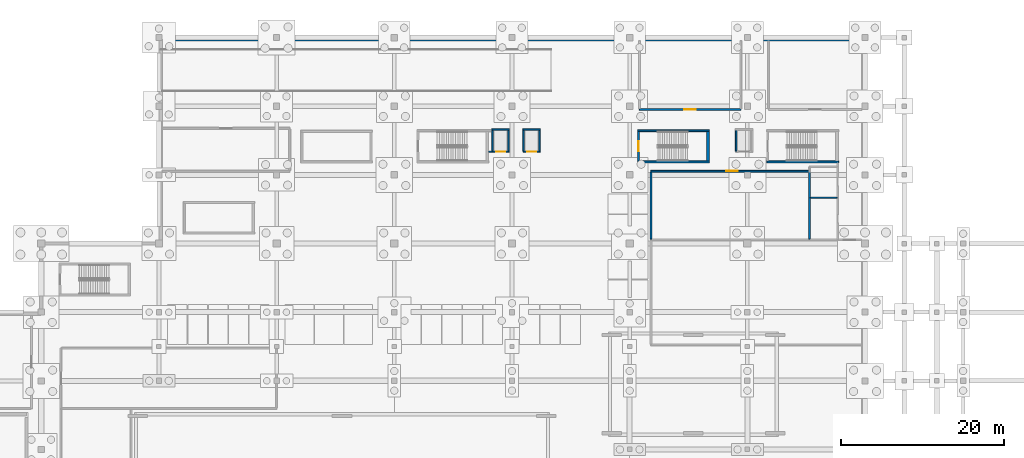
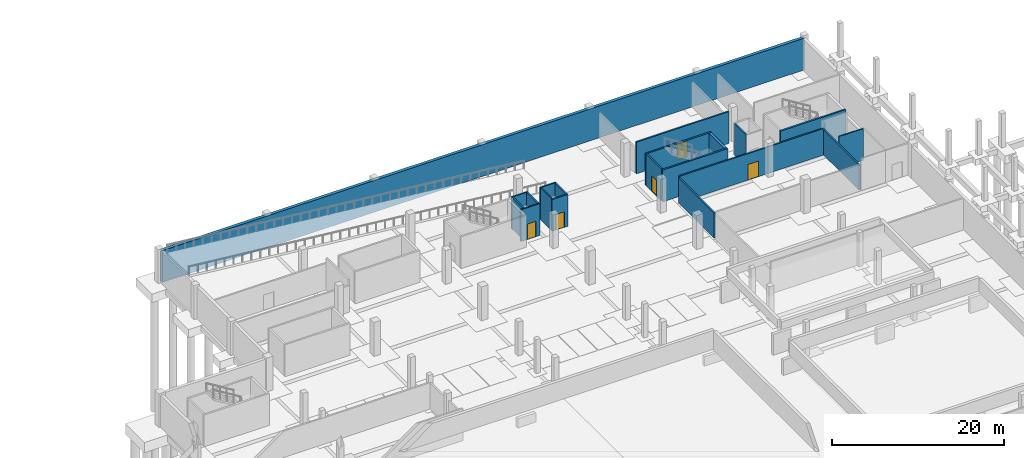
# One storey, part 17 of 26: 20 walls, 5 doors, 5 openings.
"""IFC4 building model written with IfcOpenShell, lengths in metres."""

from ifc_helpers import new_model, si_unit, direction, frame, frame_2d, origin, place, context, subcontext, project, spatial, rectangle, extrude, material, layer, layer_set, type_object, element, fill, save


model = new_model("IFC4")

# Units and contexts
model_context = context("Model", 3, precision=1e-05, world=origin(), true_north=direction((0.0, 1.0)))
body_context = subcontext(model_context, "Body", "Model", "MODEL_VIEW")
ifc_project = project(units=[si_unit("LENGTHUNIT", "METRE"), si_unit("AREAUNIT", "SQUARE_METRE"), si_unit("VOLUMEUNIT", "CUBIC_METRE"), si_unit("PLANEANGLEUNIT", "RADIAN"), si_unit("MASSUNIT", "GRAM", prefix="KILO"), si_unit("THERMODYNAMICTEMPERATUREUNIT", "KELVIN")], contexts=[model_context])

# Site, building, storey
site_placement = place(None, origin())
site = spatial("IfcSite", under=ifc_project, at=site_placement, CompositionType="ELEMENT")
building_placement = place(site_placement, origin())
building = spatial("IfcBuilding", under=site, at=building_placement, Name="Nduvali Passage Aquatics Centre", CompositionType="ELEMENT")
storey_placement = place(building_placement, frame((0.0, 0.0, -4.800048828125)))
storey = spatial("IfcBuildingStorey", under=building, at=storey_placement, Name="B01", CompositionType="ELEMENT", Elevation=-4.800048828125)

# Wall, opening, door
ifc_material_1 = material(Name="Coral-stone masonry blockwork", Category="masonry")
ifc_layer_1 = layer(ifc_material_1, 0.199951171875, Name="Coral-stone masonry blockwork")
ifc_layer_set_1 = layer_set([ifc_layer_1], Name="Coral-stone masonry blockwork")
wall_type_1 = type_object("IfcWallType", Name="INT-WAL-COMP200", PredefinedType="PARTITIONING", material=ifc_layer_set_1)
wall_1_placement = place(storey_placement, frame((98.39990234375, 108.800048828125, 0.0), z_axis=(0.0, 0.0, 1.0), x_axis=(1.0, 0.0, 0.0)))
wall_1 = element("IfcWall", 1, at=wall_1_placement, inside=storey, type_object=wall_type_1, Name="B01 Bunded Pool Chemical Storage and Dosing Room Partition 0001", PredefinedType="PARTITIONING", context=body_context, shape_type="SweptSolid", body=[
    extrude(rectangle(XDim=12.400146484375, YDim=0.199951171875, at=frame_2d((6.2001953125, 0.0))), origin(), (0.0, 0.0, 1.0), 4.5),
])
opening_1_placement = place(wall_1_placement, frame((5.5, 0.0, 0.0)))
opening_1 = element("IfcOpeningElement", 2, at=opening_1_placement, cuts=wall_1, Name="Opening FD-P1", PredefinedType="OPENING", context=body_context, shape_type="SweptSolid", body=[
    extrude(rectangle(XDim=1.39990234375, YDim=2.199951171875, at=frame_2d((0.699951171875, 1.10009765625))), frame((0.0, 0.11474609375, 0.0), z_axis=(0.0, -1.0, 0.0), x_axis=(1.0, 0.0, 0.0)), (0.0, 0.0, 1.0), 0.229736328125),
])
ifc_material_2 = material(Name="Galvanised steel door", Category="steel")
door_type_1 = type_object("IfcDoorType", Name="INT-DR-PLNT140", OperationType="DOUBLE_DOOR_SINGLE_SWING", PredefinedType="DOOR", material=ifc_material_2)
door_1_placement = place(opening_1_placement, frame((1.39990234375, 0.0, 0.0), z_axis=(0.0, 0.0, 1.0), x_axis=(-1.0, 0.0, 0.0)))
door_1 = element("IfcDoor", 3, at=door_1_placement, inside=storey, type_object=door_type_1, Name="B01 Bunded Pool Chemical Storage and Dosing Room Door 0001", OperationType="DOUBLE_DOOR_SINGLE_SWING", OverallHeight=2.199951171875, OverallWidth=1.39990234375, PredefinedType="DOOR", context=body_context, shape_type="SweptSolid", body=[
    extrude(rectangle(XDim=1.39990234375, YDim=2.199951171875, at=frame_2d((0.699951171875, 1.10009765625))), frame((0.0, 0.02490234375, 0.0), z_axis=(0.0, -1.0, 0.0), x_axis=(1.0, 0.0, 0.0)), (0.0, 0.0, 1.0), 0.050048828125),
])
fill(opening_1, door_1)

wall_2_placement = place(storey_placement, frame((99.800048828125, 101.25, 0.0), z_axis=(0.0, 0.0, 1.0), x_axis=(1.0, 0.0, 0.0)))
wall_2 = element("IfcWall", 4, at=wall_2_placement, inside=storey, type_object=wall_type_1, Name="B01 Standby Diesel Generator Room Partition 0009", PredefinedType="PARTITIONING", context=body_context, shape_type="SweptSolid", body=[
    extrude(rectangle(XDim=19.39990234375, YDim=0.199951171875, at=frame_2d((9.699951171875, 0.0))), origin(), (0.0, 0.0, 1.0), 3.75),
])
opening_2_placement = place(wall_2_placement, frame((9.197021484375, 0.0, 0.0)))
opening_2 = element("IfcOpeningElement", 5, at=opening_2_placement, cuts=wall_2, Name="Opening FD-P1", PredefinedType="OPENING", context=body_context, shape_type="SweptSolid", body=[
    extrude(rectangle(XDim=1.39990234375, YDim=2.199951171875, at=frame_2d((0.699951171875, 1.10009765625))), frame((0.0, 0.11474609375, 0.0), z_axis=(0.0, -1.0, 0.0), x_axis=(1.0, 0.0, 0.0)), (0.0, 0.0, 1.0), 0.229736328125),
])
door_2_placement = place(opening_2_placement, origin())
door_2 = element("IfcDoor", 6, at=door_2_placement, inside=storey, type_object=door_type_1, Name="B01 Standby Diesel Generator Room Door 0004", OperationType="DOUBLE_DOOR_SINGLE_SWING", OverallHeight=2.199951171875, OverallWidth=1.39990234375, PredefinedType="DOOR", context=body_context, shape_type="SweptSolid", body=[
    extrude(rectangle(XDim=1.39990234375, YDim=2.199951171875, at=frame_2d((0.699951171875, 1.10009765625))), frame((0.0, 0.02490234375, 0.0), z_axis=(0.0, -1.0, 0.0), x_axis=(1.0, 0.0, 0.0)), (0.0, 0.0, 1.0), 0.050048828125),
])
fill(opening_2, door_2)

# Walls
for number, where, z_axis, x_axis, name in (
    (7, (99.800048828125, 92.949951171875, 0.0), (0.0, 0.0, 1.0), (0.0, 1.0, 0.0), "B01 Standby Diesel Generator Room Partition 0011"),
    (8, (119.199951171875, 92.949951171875, 0.0), (0.0, 0.0, 1.0), (0.0, 1.0, 0.0), "B01 Standby Diesel Generator Room Partition 0012"),
):
    element("IfcWall", number, at=place(storey_placement, frame(where, z_axis=z_axis, x_axis=x_axis)), inside=storey, type_object=wall_type_1, Name=name, PredefinedType="PARTITIONING", context=body_context, shape_type="SweptSolid", body=[
        extrude(rectangle(XDim=8.199951171875, YDim=0.199951171875, at=frame_2d((4.10009765625, 0.0))), origin(), (0.0, 0.0, 1.0), 3.550048828125),
    ])
ifc_material_3 = material(Name="Concrete C40/50", Category="concrete")
ifc_layer_2 = layer(ifc_material_3, 0.219970703125, Name="Concrete C40/50")
ifc_layer_set_2 = layer_set([ifc_layer_2], Name="Concrete C40/50")
wall_type_2 = type_object("IfcWallType", Name="INT-WAL-CORE220", PredefinedType="SOLIDWALL", material=ifc_layer_set_2)
for number, where, z_axis, x_axis, name in (
    (9, (113.97998046875, 102.389892578125, 0.0), (0.0, 0.0, 1.0), (1.0, 0.0, 0.0), "B01 Stair ST2 Core Wall S"),
    (10, (98.179931640625, 102.389892578125, 0.0), (0.0, 0.0, 1.0), (1.0, 0.0, 0.0), "B01 Stair ST11 Core Wall S"),
    (11, (106.949951171875, 106.199951171875, 0.0), (0.0, 0.0, 1.0), (-1.0, 0.0, 0.0), "B01 Stair ST11 Core Wall N"),
):
    element("IfcWall", number, at=place(storey_placement, frame(where, z_axis=z_axis, x_axis=x_axis)), inside=storey, type_object=wall_type_2, Name=name, PredefinedType="SOLIDWALL", context=body_context, shape_type="SweptSolid", body=[
        extrude(rectangle(XDim=8.77001953125, YDim=0.219970703125, at=frame_2d((4.385009765625, 0.0))), origin(), (0.0, 0.0, 1.0), 4.5),
    ])

# Wall, opening, door
wall_3_placement = place(storey_placement, frame((98.2900390625, 106.090087890625, 0.0), z_axis=(0.0, 0.0, 1.0), x_axis=(0.0, -1.0, 0.0)))
wall_3 = element("IfcWall", 12, at=wall_3_placement, inside=storey, type_object=wall_type_2, Name="B01 Stair ST11 Core Wall W", PredefinedType="SOLIDWALL", context=body_context, shape_type="SweptSolid", body=[
    extrude(rectangle(XDim=3.590087890625, YDim=0.219970703125, at=frame_2d((1.794921875, 0.0))), origin(), (0.0, 0.0, 1.0), 4.5),
])
opening_3_placement = place(wall_3_placement, frame((1.195068359375, 0.0, 0.0)))
opening_3 = element("IfcOpeningElement", 13, at=opening_3_placement, cuts=wall_3, Name="Opening FD-ST2", PredefinedType="OPENING", context=body_context, shape_type="SweptSolid", body=[
    extrude(rectangle(XDim=1.199951171875, YDim=2.199951171875, at=frame_2d((0.60009765625, 1.10009765625))), frame((0.0, 0.125, 0.0), z_axis=(0.0, -1.0, 0.0), x_axis=(1.0, 0.0, 0.0)), (0.0, 0.0, 1.0), 0.249755859375),
])
door_type_2 = type_object("IfcDoorType", Name="INT-DR-ST120", OperationType="NOTDEFINED", PredefinedType="DOOR", material=ifc_material_2)
door_3_placement = place(opening_3_placement, frame((1.199951171875, 0.0, 0.0), z_axis=(0.0, 0.0, 1.0), x_axis=(-1.0, 0.0, 0.0)))
door_3 = element("IfcDoor", 14, at=door_3_placement, inside=storey, type_object=door_type_2, Name="B01 Stair ST11 Fire Lobby Door", OperationType="SINGLE_SWING_LEFT", OverallHeight=2.199951171875, OverallWidth=1.199951171875, PredefinedType="DOOR", context=body_context, shape_type="SweptSolid", body=[
    extrude(rectangle(XDim=1.199951171875, YDim=2.199951171875, at=frame_2d((0.60009765625, 1.10009765625))), frame((0.0, 0.02490234375, 0.0), z_axis=(0.0, -1.0, 0.0), x_axis=(1.0, 0.0, 0.0)), (0.0, 0.0, 1.0), 0.050048828125),
])
fill(opening_3, door_3)

ifc_layer_3 = layer(ifc_material_3, 0.18994140625, Name="Concrete C40/50")
ifc_layer_set_3 = layer_set([ifc_layer_3], Name="Concrete C40/50")
wall_type_3 = type_object("IfcWallType", Name="INT-WAL-SHAFT200", PredefinedType="SOLIDWALL", material=ifc_layer_set_3)
wall_4_placement = place(storey_placement, frame((79.949951171875, 103.625, 0.0), z_axis=(0.0, 0.0, 1.0), x_axis=(1.0, 0.0, 0.0)))
wall_4 = element("IfcWall", 15, at=wall_4_placement, inside=storey, type_object=wall_type_3, Name="B01 Lift L1 Shaft Wall S", PredefinedType="SOLIDWALL", context=body_context, shape_type="SweptSolid", body=[
    extrude(rectangle(XDim=2.52001953125, YDim=0.18994140625, at=frame_2d((1.260009765625, 0.0))), origin(), (0.0, 0.0, 1.0), 4.5),
])
opening_4_placement = place(wall_4_placement, frame((0.89990234375, 0.0, 0.0)))
opening_4 = element("IfcOpeningElement", 16, at=opening_4_placement, cuts=wall_4, Name="Opening LD1", PredefinedType="OPENING", context=body_context, shape_type="SweptSolid", body=[
    extrude(rectangle(XDim=1.10009765625, YDim=2.199951171875, at=frame_2d((0.550048828125, 1.10009765625))), frame((0.0, 0.10986328125, 0.0), z_axis=(0.0, -1.0, 0.0), x_axis=(1.0, 0.0, 0.0)), (0.0, 0.0, 1.0), 0.2197265625),
])
ifc_material_4 = material(Name="Stainless steel landing door", Category="steel")
door_type_3 = type_object("IfcDoorType", Name="INT-DR-LD1", OperationType="DOUBLE_DOOR_SLIDING", PredefinedType="DOOR", material=ifc_material_4)
door_4_placement = place(opening_4_placement, origin())
door_4 = element("IfcDoor", 17, at=door_4_placement, inside=storey, type_object=door_type_3, Name="B01 Lift L1 Sliding Landing Door LD1", OperationType="DOUBLE_DOOR_SLIDING", OverallHeight=2.199951171875, OverallWidth=1.10009765625, PredefinedType="DOOR", context=body_context, shape_type="SweptSolid", body=[
    extrude(rectangle(XDim=1.10009765625, YDim=2.199951171875, at=frame_2d((0.550048828125, 1.10009765625))), frame((0.0, 0.02490234375, 0.0), z_axis=(0.0, -1.0, 0.0), x_axis=(1.0, 0.0, 0.0)), (0.0, 0.0, 1.0), 0.050048828125),
])
fill(opening_4, door_4)

# Walls
wall_5_placement = place(storey_placement, frame((82.375, 103.719970703125, 0.0), z_axis=(0.0, 0.0, 1.0), x_axis=(0.0, 1.0, 0.0)))
element("IfcWall", 18, at=wall_5_placement, inside=storey, type_object=wall_type_3, Name="B01 Lift L1 Shaft Wall E", PredefinedType="SOLIDWALL", context=body_context, shape_type="SweptSolid", body=[
    extrude(rectangle(XDim=2.56005859375, YDim=0.18994140625, at=frame_2d((1.280029296875, 0.0))), origin(), (0.0, 0.0, 1.0), 4.5),
])
wall_6_placement = place(storey_placement, frame((82.469970703125, 106.375, 0.0), z_axis=(0.0, 0.0, 1.0), x_axis=(-1.0, 0.0, 0.0)))
element("IfcWall", 19, at=wall_6_placement, inside=storey, type_object=wall_type_3, Name="B01 Lift L1 Shaft Wall N", PredefinedType="SOLIDWALL", context=body_context, shape_type="SweptSolid", body=[
    extrude(rectangle(XDim=2.139892578125, YDim=0.18994140625, at=frame_2d((1.06982421875, 0.0))), origin(), (0.0, 0.0, 1.0), 4.5),
])
wall_7_placement = place(storey_placement, frame((80.425048828125, 106.280029296875, 0.0), z_axis=(0.0, 0.0, 1.0), x_axis=(0.0, -1.0, 0.0)))
element("IfcWall", 20, at=wall_7_placement, inside=storey, type_object=wall_type_3, Name="B01 Lift L1 Shaft Wall W", PredefinedType="SOLIDWALL", context=body_context, shape_type="SweptSolid", body=[
    extrude(rectangle(XDim=2.56005859375, YDim=0.18994140625, at=frame_2d((1.280029296875, 0.0))), origin(), (0.0, 0.0, 1.0), 4.5),
])

# Wall, opening, door
wall_8_placement = place(storey_placement, frame((84.1298828125, 103.625, 0.0), z_axis=(0.0, 0.0, 1.0), x_axis=(1.0, 0.0, 0.0)))
wall_8 = element("IfcWall", 21, at=wall_8_placement, inside=storey, type_object=wall_type_3, Name="B01 Lift L2 Shaft Wall S", PredefinedType="SOLIDWALL", context=body_context, shape_type="SweptSolid", body=[
    extrude(rectangle(XDim=2.14013671875, YDim=0.18994140625, at=frame_2d((1.070068359375, 0.0))), origin(), (0.0, 0.0, 1.0), 4.5),
])
opening_5_placement = place(wall_8_placement, frame((0.52001953125, 0.0, 0.0)))
opening_5 = element("IfcOpeningElement", 22, at=opening_5_placement, cuts=wall_8, Name="Opening LD2", PredefinedType="OPENING", context=body_context, shape_type="SweptSolid", body=[
    extrude(rectangle(XDim=1.10009765625, YDim=2.199951171875, at=frame_2d((0.550048828125, 1.10009765625))), frame((0.0, 0.10986328125, 0.0), z_axis=(0.0, -1.0, 0.0), x_axis=(1.0, 0.0, 0.0)), (0.0, 0.0, 1.0), 0.2197265625),
])
door_type_4 = type_object("IfcDoorType", Name="INT-DR-LD2", OperationType="DOUBLE_DOOR_SLIDING", PredefinedType="DOOR", material=ifc_material_4)
door_5_placement = place(opening_5_placement, origin())
door_5 = element("IfcDoor", 23, at=door_5_placement, inside=storey, type_object=door_type_4, Name="B01 Lift L2 Sliding Landing Door LD2", OperationType="DOUBLE_DOOR_SLIDING", OverallHeight=2.199951171875, OverallWidth=1.10009765625, PredefinedType="DOOR", context=body_context, shape_type="SweptSolid", body=[
    extrude(rectangle(XDim=1.10009765625, YDim=2.199951171875, at=frame_2d((0.550048828125, 1.10009765625))), frame((0.0, 0.02490234375, 0.0), z_axis=(0.0, -1.0, 0.0), x_axis=(1.0, 0.0, 0.0)), (0.0, 0.0, 1.0), 0.050048828125),
])
fill(opening_5, door_5)

# Walls
wall_9_placement = place(storey_placement, frame((86.175048828125, 103.719970703125, 0.0), z_axis=(0.0, 0.0, 1.0), x_axis=(0.0, 1.0, 0.0)))
element("IfcWall", 24, at=wall_9_placement, inside=storey, type_object=wall_type_3, Name="B01 Lift L2 Shaft Wall E", PredefinedType="SOLIDWALL", context=body_context, shape_type="SweptSolid", body=[
    extrude(rectangle(XDim=2.56005859375, YDim=0.18994140625, at=frame_2d((1.280029296875, 0.0))), origin(), (0.0, 0.0, 1.0), 4.5),
])
wall_10_placement = place(storey_placement, frame((86.27001953125, 106.375, 0.0), z_axis=(0.0, 0.0, 1.0), x_axis=(-1.0, 0.0, 0.0)))
element("IfcWall", 25, at=wall_10_placement, inside=storey, type_object=wall_type_3, Name="B01 Lift L2 Shaft Wall N", PredefinedType="SOLIDWALL", context=body_context, shape_type="SweptSolid", body=[
    extrude(rectangle(XDim=2.14013671875, YDim=0.18994140625, at=frame_2d((1.070068359375, 0.0))), origin(), (0.0, 0.0, 1.0), 4.5),
])
for number, where, z_axis, x_axis, name in (
    (26, (84.22509765625, 106.280029296875, 0.0), (0.0, 0.0, 1.0), (0.0, -1.0, 0.0), "B01 Lift L2 Shaft Wall W"),
    (27, (110.22509765625, 106.280029296875, 0.0), (0.0, 0.0, 1.0), (0.0, -1.0, 0.0), "B01 Lift L3 Shaft Wall W"),
):
    element("IfcWall", number, at=place(storey_placement, frame(where, z_axis=z_axis, x_axis=x_axis)), inside=storey, type_object=wall_type_3, Name=name, PredefinedType="SOLIDWALL", context=body_context, shape_type="SweptSolid", body=[
        extrude(rectangle(XDim=2.56005859375, YDim=0.18994140625, at=frame_2d((1.280029296875, 0.0))), origin(), (0.0, 0.0, 1.0), 4.5),
    ])
ifc_layer_4 = layer(ifc_material_1, 0.14990234375, Name="Coral-stone masonry blockwork")
ifc_layer_set_4 = layer_set([ifc_layer_4], Name="Coral-stone masonry blockwork")
wall_type_4 = type_object("IfcWallType", Name="INT-WAL-WET150", PredefinedType="PLUMBINGWALL", material=ifc_layer_set_4)
wall_11_placement = place(storey_placement, frame((119.300048828125, 98.0, 0.0), z_axis=(0.0, 0.0, 1.0), x_axis=(1.0, 0.0, 0.0)))
element("IfcWall", 28, at=wall_11_placement, inside=storey, type_object=wall_type_4, Name="B01 Basement Staff Toilets Partition 0015", PredefinedType="PLUMBINGWALL", context=body_context, shape_type="SweptSolid", body=[
    extrude(rectangle(XDim=3.27490234375, YDim=0.14990234375, at=frame_2d((1.637451171875, 0.0))), origin(), (0.0, 0.0, 1.0), 4.5),
])
ifc_material_5 = material(Name="Waterproof concrete C40/50", Category="concrete")
ifc_layer_5 = layer(ifc_material_5, 0.419921875, Name="Waterproof concrete C40/50")
ifc_layer_set_5 = layer_set([ifc_layer_5], Name="Waterproof concrete C40/50")
wall_type_5 = type_object("IfcWallType", Name="STR-WAL-RET400", PredefinedType="USERDEFINED", material=ifc_layer_set_5)
wall_12_placement = place(storey_placement, frame((125.800048828125, 117.39990234375, 0.0), z_axis=(0.0, 0.0, 1.0), x_axis=(-1.0, 0.0, 0.0)))
element("IfcWall", 29, at=wall_12_placement, inside=storey, type_object=wall_type_5, Name="B01 Waterproof Basement Retaining Wall RET-N1", ObjectType="RETAINING WALL", PredefinedType="USERDEFINED", context=body_context, shape_type="SweptSolid", body=[
    extrude(rectangle(XDim=86.0, YDim=0.419921875, at=frame_2d((43.0, 0.0))), origin(), (0.0, 0.0, 1.0), 4.5),
])
ifc_layer_6 = layer(ifc_material_3, 0.35009765625, Name="Concrete C40/50")
ifc_layer_set_6 = layer_set([ifc_layer_6], Name="Concrete C40/50")
wall_type_6 = type_object("IfcWallType", Name="STR-WAL-SHR350", PredefinedType="SHEAR", material=ifc_layer_set_6)
wall_13_placement = place(storey_placement, frame((106.77490234375, 102.5, 0.0), z_axis=(0.0, 0.0, 1.0), x_axis=(0.0, 1.0, 0.0)))
element("IfcWall", 30, at=wall_13_placement, inside=storey, type_object=wall_type_6, Name="B01 Stair ST11 Core Shear Wall E", PredefinedType="SHEAR", context=body_context, shape_type="SweptSolid", body=[
    extrude(rectangle(XDim=3.590087890625, YDim=0.35009765625, at=frame_2d((1.794921875, 0.0))), origin(), (0.0, 0.0, 1.0), 4.5),
])

save(model, "model.ifc")
